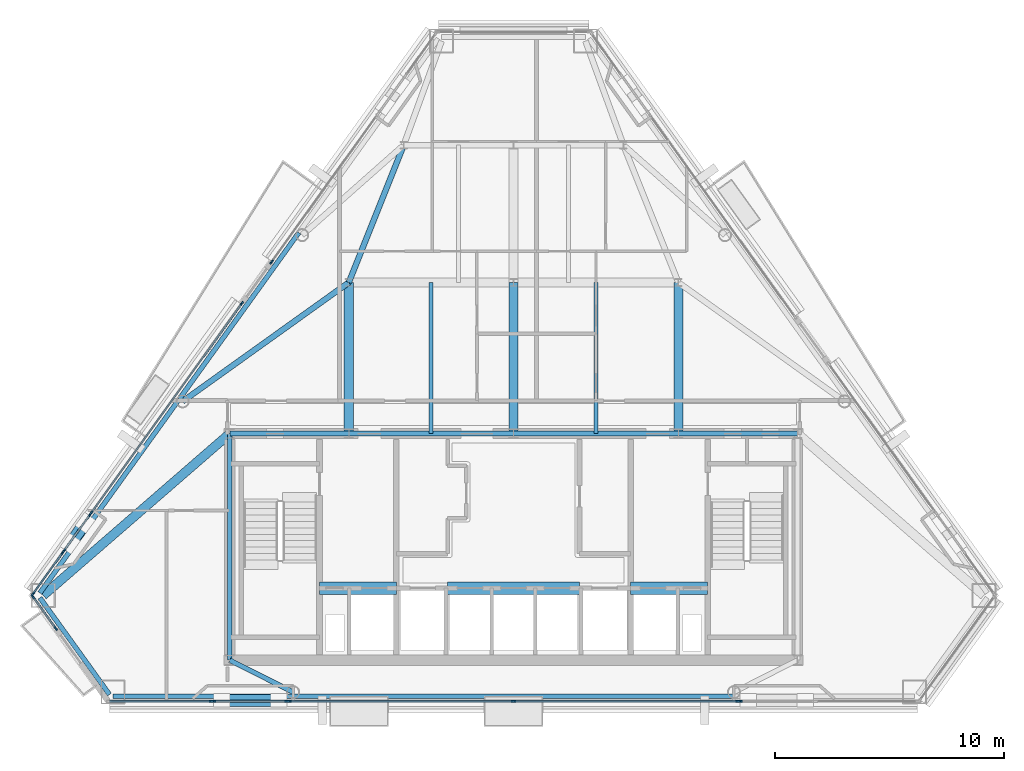
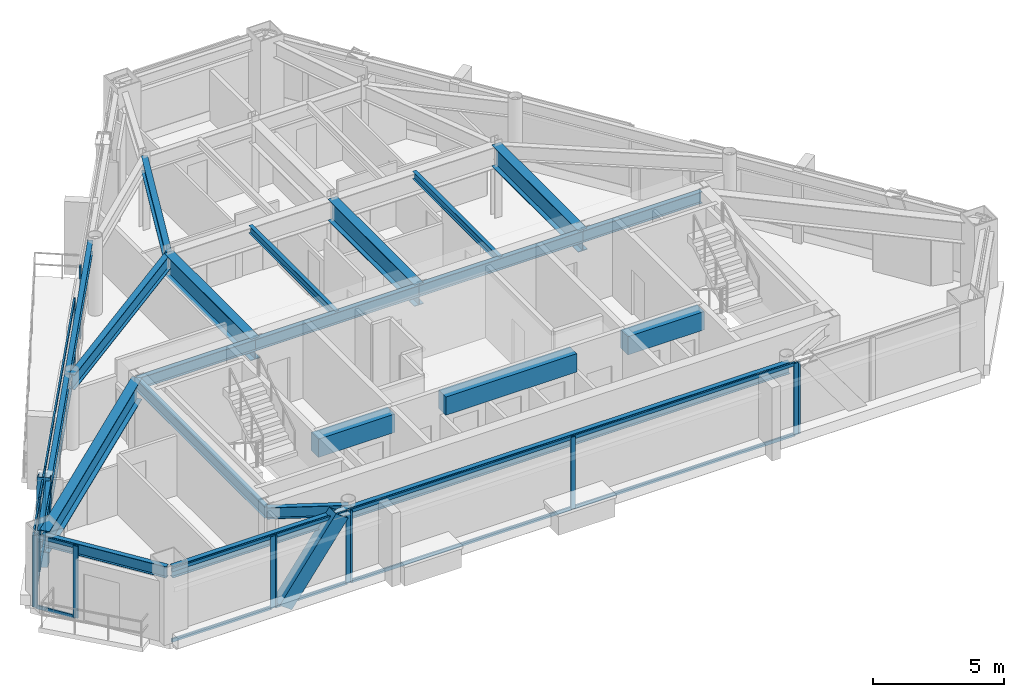
# One storey, part 3 of 11: 34 members, 22 beams, 9 elements without a shape of their own.
"""IFC4 building model written with IfcOpenShell, lengths in metres."""

from ifc_helpers import new_model, si_unit, direction, frame, origin, origin_2d, place, context, subcontext, project, spatial, rectangle, hollow_rectangle, i_section, extrude, material, layer, layer_set, material_profile, profile_set, type_object, element, aggregate, save


model = new_model("IFC4")

# Units and contexts
model_context = context("Model", 3, precision=1e-05, world=origin(), true_north=direction((0.0, 1.0)))
body_context = subcontext(model_context, "Body", "Model", "MODEL_VIEW")
ifc_project = project(units=[si_unit("LENGTHUNIT", "METRE"), si_unit("AREAUNIT", "SQUARE_METRE"), si_unit("VOLUMEUNIT", "CUBIC_METRE"), si_unit("PLANEANGLEUNIT", "RADIAN"), si_unit("MASSUNIT", "GRAM", prefix="KILO")], contexts=[model_context])

# Site, building, storey
site_placement = place(None, origin())
site = spatial("IfcSite", under=ifc_project, at=site_placement, CompositionType="ELEMENT")
building_placement = place(site_placement, origin())
building = spatial("IfcBuilding", under=site, at=building_placement, Name="Talgorran Terracotta Tower", CompositionType="ELEMENT")
storey_placement = place(building_placement, frame((0.0, 0.0, 210.89990234375)))
storey = spatial("IfcBuildingStorey", under=building, at=storey_placement, Name="L55", CompositionType="ELEMENT", Elevation=210.89990234375)

# Beams
ifc_material_1 = material(Name="Steel Grade 350 (350L0)", Category="steel")
ifc_material_profile_1 = material_profile(ifc_material_1, i_section(OverallWidth=0.39990234375, OverallDepth=1.0, WebThickness=0.01611328125, FlangeThickness=0.031005859375, at=origin_2d()), Name="1000WB296")
ifc_profile_set_1 = profile_set([ifc_material_profile_1], Name="Steel Grade 350 (350L0)")
beam_type_1 = type_object("IfcBeamType", Name="BM_1000WB296", PredefinedType="BEAM", material=ifc_profile_set_1)
for number, where, z_axis, x_axis, name in (
    (1, (-7.199951171875, -4.199951171875, 2.84521484375), (0.0, 1.0, 0.0), (-1.0, 0.0, 0.0), "L55 Floor Girder G01"),
    (2, (0.0, -4.199951171875, 2.84521484375), (0.0, 1.0, 0.0), (-1.0, 0.0, 0.0), "L55 Floor Girder G02"),
    (3, (7.199951171875, -4.199951171875, 2.84521484375), (0.0, 1.0, 0.0), (-1.0, 0.0, 0.0), "L55 Floor Girder G03"),
):
    element("IfcBeam", number, at=place(storey_placement, frame(where, z_axis=z_axis, x_axis=x_axis)), inside=storey, type_object=beam_type_1, Name=name, PredefinedType="BEAM", context=body_context, shape_type="SweptSolid", body=[
        extrude(i_section(OverallWidth=0.39990234375, OverallDepth=1.0, WebThickness=0.01611328125, FlangeThickness=0.031005859375, at=origin_2d()), origin(), (0.0, 0.0, 1.0), 6.599853515625),
    ])
beam_1_placement = place(storey_placement, frame((-12.39990234375, -4.199951171875, 2.84521484375), z_axis=(-0.755340259283, -0.655332810644, 0.0), x_axis=(0.655332810644, -0.755340259283, 0.0)))
element("IfcBeam", 4, at=beam_1_placement, inside=storey, type_object=beam_type_1, Name="L55 Floor Girder G17", PredefinedType="BEAM", context=body_context, shape_type="SweptSolid", body=[
    extrude(i_section(OverallWidth=0.39990234375, OverallDepth=1.0, WebThickness=0.01611328125, FlangeThickness=0.031005859375, at=origin_2d()), origin(), (0.0, 0.0, 1.0), 10.787841796875),
])
ifc_material_2 = material(Name="Steel S355 (300PLUS)", Category="steel")
ifc_material_profile_2 = material_profile(ifc_material_2, i_section(OverallWidth=0.25, OverallDepth=0.699951171875, WebThickness=0.011962890625, FlangeThickness=0.02392578125, at=origin_2d()), Name="700WB150")
ifc_profile_set_2 = profile_set([ifc_material_profile_2], Name="Steel S355 (300PLUS)")
beam_type_2 = type_object("IfcBeamType", Name="BM_700WB150", PredefinedType="BEAM", material=ifc_profile_set_2)
beam_2_placement = place(storey_placement, frame((-7.199951171875, 2.39990234375, 2.9951171875), z_axis=(-0.813243309998, -0.581923808366, 0.0), x_axis=(0.581923808366, -0.813243309998, 0.0)))
element("IfcBeam", 5, at=beam_2_placement, inside=storey, type_object=beam_type_2, Name="L55 Floor Girder G06", PredefinedType="BEAM", context=body_context, shape_type="SweptSolid", body=[
    extrude(i_section(OverallWidth=0.25, OverallDepth=0.699951171875, WebThickness=0.011962890625, FlangeThickness=0.02392578125, at=origin_2d()), origin(), (0.0, 0.0, 1.0), 8.923583984375),
])
beam_3_placement = place(storey_placement, frame((-7.199951171875, 2.39990234375, 2.9951171875), z_axis=(0.371377648723, 0.928481901832, 0.0), x_axis=(-0.928481901832, 0.371377648723, 0.0)))
element("IfcBeam", 6, at=beam_3_placement, inside=storey, type_object=beam_type_2, Name="L55 Floor Girder G08", PredefinedType="BEAM", context=body_context, shape_type="SweptSolid", body=[
    extrude(i_section(OverallWidth=0.25, OverallDepth=0.699951171875, WebThickness=0.011962890625, FlangeThickness=0.02392578125, at=origin_2d()), origin(), (0.0, 0.0, 1.0), 6.462158203125),
])
ifc_material_3 = material(Name="Concrete C50/60", Category="concrete")
ifc_material_profile_3 = material_profile(ifc_material_3, rectangle(XDim=0.550048828125, YDim=0.85009765625, at=origin_2d()), Name="RCCB550X850")
ifc_profile_set_3 = profile_set([ifc_material_profile_3], Name="Concrete C50/60")
beam_type_3 = type_object("IfcBeamType", Name="BM_CB_550X850", PredefinedType="LINTEL", material=ifc_profile_set_3)
beam_4_placement = place(storey_placement, frame((-8.47998046875, -10.949951171875, 2.920166015625), z_axis=(1.0, 0.0, 0.0), x_axis=(0.0, 1.0, 0.0)))
element("IfcBeam", 7, at=beam_4_placement, inside=storey, type_object=beam_type_3, Name="L55 Core Shear-Wall Coupling Beam CB1", PredefinedType="LINTEL", context=body_context, shape_type="SweptSolid", body=[
    extrude(rectangle(XDim=0.550048828125, YDim=0.85009765625, at=origin_2d()), origin(), (0.0, 0.0, 1.0), 3.35986328125),
])
beam_5_placement = place(storey_placement, frame((-2.8798828125, -10.949951171875, 2.920166015625), z_axis=(1.0, 0.0, 0.0), x_axis=(0.0, 1.0, 0.0)))
element("IfcBeam", 8, at=beam_5_placement, inside=storey, type_object=beam_type_3, Name="L55 Core Shear-Wall Coupling Beam CB2", PredefinedType="LINTEL", context=body_context, shape_type="SweptSolid", body=[
    extrude(rectangle(XDim=0.550048828125, YDim=0.85009765625, at=origin_2d()), origin(), (0.0, 0.0, 1.0), 5.759765625),
])
beam_6_placement = place(storey_placement, frame((5.1201171875, -10.949951171875, 2.920166015625), z_axis=(1.0, 0.0, 0.0), x_axis=(0.0, 1.0, 0.0)))
element("IfcBeam", 9, at=beam_6_placement, inside=storey, type_object=beam_type_3, Name="L55 Core Shear-Wall Coupling Beam CB3", PredefinedType="LINTEL", context=body_context, shape_type="SweptSolid", body=[
    extrude(rectangle(XDim=0.550048828125, YDim=0.85009765625, at=origin_2d()), origin(), (0.0, 0.0, 1.0), 3.35986328125),
])
ifc_material_profile_4 = material_profile(ifc_material_2, i_section(OverallWidth=0.17138671875, OverallDepth=0.355712890625, WebThickness=0.00732421875, FlangeThickness=0.011474609375, at=origin_2d()), Name="360UB50.7")
ifc_profile_set_4 = profile_set([ifc_material_profile_4], Name="Steel S355 (300PLUS)")
beam_type_4 = type_object("IfcBeamType", Name="BM_JS_360UB51", PredefinedType="JOIST", material=ifc_profile_set_4)
for number, where, z_axis, x_axis, name in (
    (10, (-3.60009765625, -4.199951171875, 3.167236328125), (0.0, 1.0, 0.0), (-1.0, 0.0, 0.0), "L55 Secondary Joist J01"),
    (11, (3.60009765625, -4.199951171875, 3.167236328125), (0.0, 1.0, 0.0), (-1.0, 0.0, 0.0), "L55 Secondary Joist J02"),
):
    element("IfcBeam", number, at=place(storey_placement, frame(where, z_axis=z_axis, x_axis=x_axis)), inside=storey, type_object=beam_type_4, Name=name, PredefinedType="JOIST", context=body_context, shape_type="SweptSolid", body=[
        extrude(i_section(OverallWidth=0.17138671875, OverallDepth=0.355712890625, WebThickness=0.00732421875, FlangeThickness=0.011474609375, at=origin_2d()), origin(), (0.0, 0.0, 1.0), 6.599853515625),
    ])
ifc_material_profile_5 = material_profile(ifc_material_2, i_section(OverallWidth=0.209228515625, OverallDepth=0.532958984375, WebThickness=0.01025390625, FlangeThickness=0.015625, at=origin_2d()), Name="530UB92.4")
ifc_profile_set_5 = profile_set([ifc_material_profile_5], Name="Steel S355 (300PLUS)")
beam_type_5 = type_object("IfcBeamType", Name="BM_SP_530UB92", PredefinedType="SPANDREL", material=ifc_profile_set_5)
beam_7_placement = place(storey_placement, frame((-20.694580078125, -11.37451171875, 3.07861328125), z_axis=(0.58353843734, -0.812085520217, 0.0), x_axis=(0.812085520217, 0.58353843734, 0.0)))
element("IfcBeam", 12, at=beam_7_placement, inside=storey, type_object=beam_type_5, Name="L55 Perimeter Spandrel Beam MC1-MC2", PredefinedType="SPANDREL", context=body_context, shape_type="SweptSolid", body=[
    extrude(i_section(OverallWidth=0.209228515625, OverallDepth=0.532958984375, WebThickness=0.01025390625, FlangeThickness=0.015625, at=origin_2d()), origin(), (0.0, 0.0, 1.0), 5.20556640625),
])
beam_8_placement = place(storey_placement, frame((-17.5107421875, -15.6767578125, 3.07861328125), z_axis=(1.0, 0.0, 0.0), x_axis=(0.0, 1.0, 0.0)))
element("IfcBeam", 13, at=beam_8_placement, inside=storey, type_object=beam_type_5, Name="L55 Perimeter Spandrel Beam MC2-FC1", PredefinedType="SPANDREL", context=body_context, shape_type="SweptSolid", body=[
    extrude(i_section(OverallWidth=0.209228515625, OverallDepth=0.532958984375, WebThickness=0.01025390625, FlangeThickness=0.015625, at=origin_2d()), origin(), (0.0, 0.0, 1.0), 7.8798828125),
])
beam_9_placement = place(storey_placement, frame((-9.630859375, -15.6767578125, 3.07861328125), z_axis=(1.0, 0.0, 0.0), x_axis=(0.0, 1.0, 0.0)))
element("IfcBeam", 14, at=beam_9_placement, inside=storey, type_object=beam_type_5, Name="L55 Perimeter Spandrel Beam FC1-FC2", PredefinedType="SPANDREL", context=body_context, shape_type="SweptSolid", body=[
    extrude(i_section(OverallWidth=0.209228515625, OverallDepth=0.532958984375, WebThickness=0.01025390625, FlangeThickness=0.015625, at=origin_2d()), origin(), (0.0, 0.0, 1.0), 19.26171875),
])
beam_10_placement = place(storey_placement, frame((-9.382080078125, 4.577880859375, 3.07861328125), z_axis=(-0.583551145521, -0.812076388378, 0.0), x_axis=(0.812076388378, -0.583551145521, 0.0)))
element("IfcBeam", 15, at=beam_10_placement, inside=storey, type_object=beam_type_5, Name="L55 Perimeter Spandrel Beam FC5-FC6", PredefinedType="SPANDREL", context=body_context, shape_type="SweptSolid", body=[
    extrude(i_section(OverallWidth=0.209228515625, OverallDepth=0.532958984375, WebThickness=0.01025390625, FlangeThickness=0.015625, at=origin_2d()), origin(), (0.0, 0.0, 1.0), 8.947265625),
])
beam_11_placement = place(storey_placement, frame((-14.603271484375, -2.68798828125, 3.07861328125), z_axis=(-0.58355893517, -0.812070790746, 0.0), x_axis=(0.812070790746, -0.58355893517, 0.0)))
element("IfcBeam", 16, at=beam_11_placement, inside=storey, type_object=beam_type_5, Name="L55 Perimeter Spandrel Beam FC6-MC1", PredefinedType="SPANDREL", context=body_context, shape_type="SweptSolid", body=[
    extrude(i_section(OverallWidth=0.209228515625, OverallDepth=0.532958984375, WebThickness=0.01025390625, FlangeThickness=0.015625, at=origin_2d()), origin(), (0.0, 0.0, 1.0), 10.438232421875),
])
beam_12_placement = place(storey_placement, frame((-9.630859375, -15.49658203125, 3.07861328125), z_axis=(-0.892878892076, 0.450296884383, 0.0), x_axis=(-0.450296884383, -0.892878892076, 0.0)))
element("IfcBeam", 17, at=beam_12_placement, inside=storey, type_object=beam_type_5, Name="L55 South-West Core Tie Beam", PredefinedType="SPANDREL", context=body_context, shape_type="SweptSolid", body=[
    extrude(i_section(OverallWidth=0.209228515625, OverallDepth=0.532958984375, WebThickness=0.01025390625, FlangeThickness=0.015625, at=origin_2d()), origin(), (0.0, 0.0, 1.0), 3.101318359375),
])
beam_13_placement = place(storey_placement, frame((-12.39990234375, -14.10009765625, 3.07861328125), z_axis=(0.0, 1.0, 0.0), x_axis=(-1.0, 0.0, 0.0)))
element("IfcBeam", 18, at=beam_13_placement, inside=storey, type_object=beam_type_5, Name="L55 Core Frame Beam CFW", PredefinedType="SPANDREL", context=body_context, shape_type="SweptSolid", body=[
    extrude(i_section(OverallWidth=0.209228515625, OverallDepth=0.532958984375, WebThickness=0.01025390625, FlangeThickness=0.015625, at=origin_2d()), origin(), (0.0, 0.0, 1.0), 9.900146484375),
])
beam_14_placement = place(storey_placement, frame((-12.39990234375, -4.199951171875, 3.07861328125), z_axis=(1.0, 0.0, 0.0), x_axis=(0.0, 1.0, 0.0)))
element("IfcBeam", 19, at=beam_14_placement, inside=storey, type_object=beam_type_5, Name="L55 Core Frame Beam CFN1", PredefinedType="SPANDREL", context=body_context, shape_type="SweptSolid", body=[
    extrude(i_section(OverallWidth=0.209228515625, OverallDepth=0.532958984375, WebThickness=0.01025390625, FlangeThickness=0.015625, at=origin_2d()), origin(), (0.0, 0.0, 1.0), 5.199951171875),
])
for number, where, z_axis, x_axis, name in (
    (20, (-7.199951171875, -4.199951171875, 3.07861328125), (1.0, 0.0, 0.0), (0.0, 1.0, 0.0), "L55 Core Frame Beam CFN2"),
    (21, (0.0, -4.199951171875, 3.07861328125), (1.0, 0.0, 0.0), (0.0, 1.0, 0.0), "L55 Core Frame Beam CFN3"),
):
    element("IfcBeam", number, at=place(storey_placement, frame(where, z_axis=z_axis, x_axis=x_axis)), inside=storey, type_object=beam_type_5, Name=name, PredefinedType="SPANDREL", context=body_context, shape_type="SweptSolid", body=[
        extrude(i_section(OverallWidth=0.209228515625, OverallDepth=0.532958984375, WebThickness=0.01025390625, FlangeThickness=0.015625, at=origin_2d()), origin(), (0.0, 0.0, 1.0), 7.199951171875),
    ])
beam_15_placement = place(storey_placement, frame((7.199951171875, -4.199951171875, 3.07861328125), z_axis=(1.0, 0.0, 0.0), x_axis=(0.0, 1.0, 0.0)))
element("IfcBeam", 22, at=beam_15_placement, inside=storey, type_object=beam_type_5, Name="L55 Core Frame Beam CFN4", PredefinedType="SPANDREL", context=body_context, shape_type="SweptSolid", body=[
    extrude(i_section(OverallWidth=0.209228515625, OverallDepth=0.532958984375, WebThickness=0.01025390625, FlangeThickness=0.015625, at=origin_2d()), origin(), (0.0, 0.0, 1.0), 5.199951171875),
])

# Members
ifc_material_profile_6 = material_profile(ifc_material_1, hollow_rectangle(XDim=0.52001953125, YDim=0.659912109375, WallThickness=0.034912109375, at=origin_2d()), Name="WBOX660X520X35")
ifc_profile_set_6 = profile_set([ifc_material_profile_6], Name="Steel Grade 350 (350L0)")
member_type_1 = type_object("IfcMemberType", Name="MB_MEGA_660", PredefinedType="BRACE", material=ifc_profile_set_6)
member_1_placement = place(storey_placement, frame((-12.740478515625, -15.856689453125, -0.02490234375), z_axis=(0.589445506836, 0.0, 0.807808142117), x_axis=(0.0, 1.0, 0.0)))
element("IfcMember", 23, at=member_1_placement, inside=storey, type_object=member_type_1, Name="L55 Exterior Face Mega-Brace MB-3 (SWF)", PredefinedType="BRACE", context=body_context, shape_type="SweptSolid", body=[
    extrude(hollow_rectangle(XDim=0.52001953125, YDim=0.659912109375, WallThickness=0.034912109375, at=origin_2d()), origin(), (0.0, 0.0, 1.0), 4.20263671875),
])
member_2_placement = place(storey_placement, frame((-19.36669921875, -9.00830078125, -0.02490234375), z_axis=(0.182817156925, 0.254386966584, 0.949665814045), x_axis=(-0.812050884366, 0.583586635557, 0.0)))
element("IfcMember", 24, at=member_2_placement, inside=storey, type_object=member_type_1, Name="L55 Exterior Face Mega-Brace MB-3 (NWL)", PredefinedType="BRACE", context=body_context, shape_type="SweptSolid", body=[
    extrude(hollow_rectangle(XDim=0.52001953125, YDim=0.659912109375, WallThickness=0.034912109375, at=origin_2d()), origin(), (0.0, 0.0, 1.0), 3.574951171875),
])

# Curtain wall, members
ifc_material_4 = material(Name="High-Wind Unitised Glazing", Category="glass")
ifc_layer = layer(ifc_material_4, 0.2099609375, Name="CW_SYS3_RES_HIGH")
ifc_layer_set = layer_set([ifc_layer], Name="High-Wind Unitised Glazing")
curtain_wall_type = type_object("IfcCurtainWallType", Name="CW_SYS3_RES_HIGH", PredefinedType="NOTDEFINED", material=ifc_layer_set)
curtain_wall_1_placement = place(storey_placement, origin())
curtain_wall_1 = element("IfcCurtainWall", 25, at=curtain_wall_1_placement, inside=storey, type_object=curtain_wall_type, Name="CW-L55-F10", PredefinedType="NOTDEFINED")
ifc_material_5 = material(Name="Architectural Aluminium 6063-T6", Category="aluminium")
ifc_material_profile_7 = material_profile(ifc_material_5, rectangle(XDim=0.070068359375, YDim=0.199951171875, at=origin_2d()), Name="CWM70X200")
ifc_profile_set_7 = profile_set([ifc_material_profile_7], Name="Architectural Aluminium 6063-T6")
member_type_2 = type_object("IfcMemberType", Name="MUL_70X200", PredefinedType="MULLION", material=ifc_profile_set_7)
member_3_placement = place(storey_placement, frame((-20.9970703125, -11.33056640625, 0.0), z_axis=(0.0, 0.0, 1.0), x_axis=(0.812077950336, 0.583548971876, 0.0)))
member_3 = element("IfcMember", 26, at=member_3_placement, type_object=member_type_2, Name="CW-L55-10 mullion 1", PredefinedType="MULLION", context=body_context, shape_type="SweptSolid", body=[
    extrude(rectangle(XDim=0.070068359375, YDim=0.199951171875, at=origin_2d()), origin(), (0.0, 0.0, 1.0), 3.34521484375),
])
member_4_placement = place(storey_placement, frame((-20.00244140625, -12.715087890625, 0.0), z_axis=(0.0, 0.0, 1.0), x_axis=(0.812077950336, 0.583548971876, 0.0)))
member_4 = element("IfcMember", 27, at=member_4_placement, type_object=member_type_2, Name="CW-L55-10 mullion 2", PredefinedType="MULLION", context=body_context, shape_type="SweptSolid", body=[
    extrude(rectangle(XDim=0.070068359375, YDim=0.199951171875, at=origin_2d()), origin(), (0.0, 0.0, 1.0), 3.34521484375),
])

# Curtain wall, member
curtain_wall_2_placement = place(storey_placement, origin())
curtain_wall_2 = element("IfcCurtainWall", 28, at=curtain_wall_2_placement, inside=storey, type_object=curtain_wall_type, Name="CW-L55-F1", PredefinedType="NOTDEFINED")
member_5_placement = place(storey_placement, frame((-13.197265625, -15.896728515625, 0.0), z_axis=(0.0, 0.0, 1.0), x_axis=(0.0, 1.0, 0.0)))
member_5 = element("IfcMember", 29, at=member_5_placement, type_object=member_type_2, Name="CW-L55-1 mullion 2", PredefinedType="MULLION", context=body_context, shape_type="SweptSolid", body=[
    extrude(rectangle(XDim=0.070068359375, YDim=0.199951171875, at=origin_2d()), origin(), (0.0, 0.0, 1.0), 3.34521484375),
])

# Curtain wall, members
curtain_wall_3_placement = place(storey_placement, origin())
curtain_wall_3 = element("IfcCurtainWall", 30, at=curtain_wall_3_placement, inside=storey, type_object=curtain_wall_type, Name="CW-L55-F1B", PredefinedType="NOTDEFINED")
member_6_placement = place(storey_placement, frame((-13.1171875, -15.896728515625, 0.0), z_axis=(0.0, 0.0, 1.0), x_axis=(0.0, 1.0, 0.0)))
member_6 = element("IfcMember", 31, at=member_6_placement, type_object=member_type_2, Name="CW-L55-1B mullion 1", PredefinedType="MULLION", context=body_context, shape_type="SweptSolid", body=[
    extrude(rectangle(XDim=0.070068359375, YDim=0.199951171875, at=origin_2d()), origin(), (0.0, 0.0, 1.0), 3.34521484375),
])
member_7_placement = place(storey_placement, frame((-9.88671875, -15.896728515625, 0.0), z_axis=(0.0, 0.0, 1.0), x_axis=(0.0, 1.0, 0.0)))
member_7 = element("IfcMember", 32, at=member_7_placement, type_object=member_type_2, Name="CW-L55-1B mullion 2", PredefinedType="MULLION", context=body_context, shape_type="SweptSolid", body=[
    extrude(rectangle(XDim=0.070068359375, YDim=0.199951171875, at=origin_2d()), origin(), (0.0, 0.0, 1.0), 3.34521484375),
])

curtain_wall_4_placement = place(storey_placement, origin())
curtain_wall_4 = element("IfcCurtainWall", 33, at=curtain_wall_4_placement, inside=storey, type_object=curtain_wall_type, Name="CW-L55-F1C", PredefinedType="NOTDEFINED")
member_8_placement = place(storey_placement, frame((-9.806640625, -15.896728515625, 0.0), z_axis=(0.0, 0.0, 1.0), x_axis=(0.0, 1.0, 0.0)))
member_8 = element("IfcMember", 34, at=member_8_placement, type_object=member_type_2, Name="CW-L55-1C mullion 1", PredefinedType="MULLION", context=body_context, shape_type="SweptSolid", body=[
    extrude(rectangle(XDim=0.070068359375, YDim=0.199951171875, at=origin_2d()), origin(), (0.0, 0.0, 1.0), 3.34521484375),
])
member_9_placement = place(storey_placement, frame((0.0, -15.896728515625, 0.0), z_axis=(0.0, 0.0, 1.0), x_axis=(0.0, 1.0, 0.0)))
member_9 = element("IfcMember", 35, at=member_9_placement, type_object=member_type_2, Name="CW-L55-1C mullion 2", PredefinedType="MULLION", context=body_context, shape_type="SweptSolid", body=[
    extrude(rectangle(XDim=0.070068359375, YDim=0.199951171875, at=origin_2d()), origin(), (0.0, 0.0, 1.0), 3.34521484375),
])
member_10_placement = place(storey_placement, frame((9.806640625, -15.896728515625, 0.0), z_axis=(0.0, 0.0, 1.0), x_axis=(0.0, 1.0, 0.0)))
member_10 = element("IfcMember", 36, at=member_10_placement, type_object=member_type_2, Name="CW-L55-1C mullion 3", PredefinedType="MULLION", context=body_context, shape_type="SweptSolid", body=[
    extrude(rectangle(XDim=0.070068359375, YDim=0.199951171875, at=origin_2d()), origin(), (0.0, 0.0, 1.0), 3.34521484375),
])

# Curtain wall, member
curtain_wall_5_placement = place(storey_placement, origin())
curtain_wall_5 = element("IfcCurtainWall", 37, at=curtain_wall_5_placement, inside=storey, type_object=curtain_wall_type, Name="CW-L55-F1D", PredefinedType="NOTDEFINED")
member_11_placement = place(storey_placement, frame((9.88671875, -15.896728515625, 0.0), z_axis=(0.0, 0.0, 1.0), x_axis=(0.0, 1.0, 0.0)))
member_11 = element("IfcMember", 38, at=member_11_placement, type_object=member_type_2, Name="CW-L55-1D mullion 1", PredefinedType="MULLION", context=body_context, shape_type="SweptSolid", body=[
    extrude(rectangle(XDim=0.070068359375, YDim=0.199951171875, at=origin_2d()), origin(), (0.0, 0.0, 1.0), 3.34521484375),
])
aggregate(curtain_wall_5, [member_11])

curtain_wall_6_placement = place(storey_placement, origin())
curtain_wall_6 = element("IfcCurtainWall", 39, at=curtain_wall_6_placement, inside=storey, type_object=curtain_wall_type, Name="CW-L55-F60C", PredefinedType="NOTDEFINED")
member_12_placement = place(storey_placement, frame((-10.57470703125, 3.29541015625, 0.0), z_axis=(0.0, 0.0, 1.0), x_axis=(0.812071855758, -0.583557453114, 0.0)))
member_12 = element("IfcMember", 40, at=member_12_placement, type_object=member_type_2, Name="CW-L55-60C mullion 2", PredefinedType="MULLION", context=body_context, shape_type="SweptSolid", body=[
    extrude(rectangle(XDim=0.070068359375, YDim=0.199951171875, at=origin_2d()), origin(), (0.0, 0.0, 1.0), 3.34521484375),
])
aggregate(curtain_wall_6, [member_12])

# Curtain wall, members
curtain_wall_7_placement = place(storey_placement, origin())
curtain_wall_7 = element("IfcCurtainWall", 41, at=curtain_wall_7_placement, inside=storey, type_object=curtain_wall_type, Name="CW-L55-F61", PredefinedType="NOTDEFINED")
member_13_placement = place(storey_placement, frame((-11.8759765625, 1.484375, 0.0), z_axis=(0.0, 0.0, 1.0), x_axis=(0.812075971578, -0.583551725545, 0.0)))
member_13 = element("IfcMember", 42, at=member_13_placement, type_object=member_type_2, Name="CW-L55-61 mullion 1", PredefinedType="MULLION", context=body_context, shape_type="SweptSolid", body=[
    extrude(rectangle(XDim=0.070068359375, YDim=0.199951171875, at=origin_2d()), origin(), (0.0, 0.0, 1.0), 3.34521484375),
])
member_14_placement = place(storey_placement, frame((-18.451904296875, -7.666748046875, 0.0), z_axis=(0.0, 0.0, 1.0), x_axis=(0.812075971578, -0.583551725545, 0.0)))
member_14 = element("IfcMember", 43, at=member_14_placement, type_object=member_type_2, Name="CW-L55-61 mullion 2", PredefinedType="MULLION", context=body_context, shape_type="SweptSolid", body=[
    extrude(rectangle(XDim=0.070068359375, YDim=0.199951171875, at=origin_2d()), origin(), (0.0, 0.0, 1.0), 3.34521484375),
])

curtain_wall_8_placement = place(storey_placement, origin())
curtain_wall_8 = element("IfcCurtainWall", 44, at=curtain_wall_8_placement, inside=storey, type_object=curtain_wall_type, Name="CW-L55-F61B", PredefinedType="NOTDEFINED")
member_15_placement = place(storey_placement, frame((-18.49853515625, -7.731689453125, 0.0), z_axis=(0.0, 0.0, 1.0), x_axis=(0.81207136039, -0.583558142462, 0.0)))
member_15 = element("IfcMember", 45, at=member_15_placement, type_object=member_type_2, Name="CW-L55-61B mullion 1", PredefinedType="MULLION", context=body_context, shape_type="SweptSolid", body=[
    extrude(rectangle(XDim=0.070068359375, YDim=0.199951171875, at=origin_2d()), origin(), (0.0, 0.0, 1.0), 3.34521484375),
])
member_16_placement = place(storey_placement, frame((-19.646240234375, -9.328857421875, 0.0), z_axis=(0.0, 0.0, 1.0), x_axis=(0.81207136039, -0.583558142462, 0.0)))
member_16 = element("IfcMember", 46, at=member_16_placement, type_object=member_type_2, Name="CW-L55-61B mullion 2", PredefinedType="MULLION", context=body_context, shape_type="SweptSolid", body=[
    extrude(rectangle(XDim=0.070068359375, YDim=0.199951171875, at=origin_2d()), origin(), (0.0, 0.0, 1.0), 3.34521484375),
])

curtain_wall_9_placement = place(storey_placement, origin())
curtain_wall_9 = element("IfcCurtainWall", 47, at=curtain_wall_9_placement, inside=storey, type_object=curtain_wall_type, Name="CW-L55-F61C", PredefinedType="NOTDEFINED")
member_17_placement = place(storey_placement, frame((-19.69287109375, -9.393798828125, 0.0), z_axis=(0.0, 0.0, 1.0), x_axis=(0.812068055005, -0.583562742162, 0.0)))
member_17 = element("IfcMember", 48, at=member_17_placement, type_object=member_type_2, Name="CW-L55-61C mullion 1", PredefinedType="MULLION", context=body_context, shape_type="SweptSolid", body=[
    extrude(rectangle(XDim=0.070068359375, YDim=0.199951171875, at=origin_2d()), origin(), (0.0, 0.0, 1.0), 3.34521484375),
])
member_18_placement = place(storey_placement, frame((-20.9970703125, -11.208740234375, 0.0), z_axis=(0.0, 0.0, 1.0), x_axis=(0.812068055005, -0.583562742162, 0.0)))
member_18 = element("IfcMember", 49, at=member_18_placement, type_object=member_type_2, Name="CW-L55-61C mullion 2", PredefinedType="MULLION", context=body_context, shape_type="SweptSolid", body=[
    extrude(rectangle(XDim=0.070068359375, YDim=0.199951171875, at=origin_2d()), origin(), (0.0, 0.0, 1.0), 3.34521484375),
])

# Member
ifc_material_profile_8 = material_profile(ifc_material_5, rectangle(XDim=0.070068359375, YDim=0.159912109375, at=origin_2d()), Name="CWT70X160")
ifc_profile_set_8 = profile_set([ifc_material_profile_8], Name="Architectural Aluminium 6063-T6")
member_type_3 = type_object("IfcMemberType", Name="TRN_70X160", PredefinedType="USERDEFINED", material=ifc_profile_set_8)
member_19_placement = place(storey_placement, frame((-20.976806640625, -11.35888671875, 0.03515625), z_axis=(0.583580661131, -0.8120551779, 0.0), x_axis=(0.8120551779, 0.583580661131, 0.0)))
member_19 = element("IfcMember", 50, at=member_19_placement, type_object=member_type_3, Name="CW-L55-10 transom 1.1", ObjectType="TRANSOM", PredefinedType="USERDEFINED", context=body_context, shape_type="SweptSolid", body=[
    extrude(rectangle(XDim=0.070068359375, YDim=0.159912109375, at=origin_2d()), origin(), (0.0, 0.0, 1.0), 1.635009765625),
])

member_20_placement = place(storey_placement, frame((-20.976806640625, -11.35888671875, 3.31005859375), z_axis=(0.583580661131, -0.8120551779, 0.0), x_axis=(0.8120551779, 0.583580661131, 0.0)))
member_20 = element("IfcMember", 51, at=member_20_placement, type_object=member_type_3, Name="CW-L55-10 transom 1.2", ObjectType="TRANSOM", PredefinedType="USERDEFINED", context=body_context, shape_type="SweptSolid", body=[
    extrude(rectangle(XDim=0.070068359375, YDim=0.159912109375, at=origin_2d()), origin(), (0.0, 0.0, 1.0), 1.635009765625),
])

aggregate(curtain_wall_1, [member_3, member_4, member_19, member_20])

member_21_placement = place(storey_placement, frame((-17.64599609375, -15.896728515625, 0.03515625), z_axis=(1.0, 0.0, 0.0), x_axis=(0.0, 1.0, 0.0)))
member_21 = element("IfcMember", 52, at=member_21_placement, type_object=member_type_3, Name="CW-L55-1 transom 1.1", ObjectType="TRANSOM", PredefinedType="USERDEFINED", context=body_context, shape_type="SweptSolid", body=[
    extrude(rectangle(XDim=0.070068359375, YDim=0.159912109375, at=origin_2d()), origin(), (0.0, 0.0, 1.0), 4.413818359375),
])

member_22_placement = place(storey_placement, frame((-17.64599609375, -15.896728515625, 3.31005859375), z_axis=(1.0, 0.0, 0.0), x_axis=(0.0, 1.0, 0.0)))
member_22 = element("IfcMember", 53, at=member_22_placement, type_object=member_type_3, Name="CW-L55-1 transom 1.2", ObjectType="TRANSOM", PredefinedType="USERDEFINED", context=body_context, shape_type="SweptSolid", body=[
    extrude(rectangle(XDim=0.070068359375, YDim=0.159912109375, at=origin_2d()), origin(), (0.0, 0.0, 1.0), 4.413818359375),
])

aggregate(curtain_wall_2, [member_5, member_21, member_22])

member_23_placement = place(storey_placement, frame((-13.082275390625, -15.896728515625, 0.03515625), z_axis=(1.0, 0.0, 0.0), x_axis=(0.0, 1.0, 0.0)))
member_23 = element("IfcMember", 54, at=member_23_placement, type_object=member_type_3, Name="CW-L55-1B transom 1.1", ObjectType="TRANSOM", PredefinedType="USERDEFINED", context=body_context, shape_type="SweptSolid", body=[
    extrude(rectangle(XDim=0.070068359375, YDim=0.159912109375, at=origin_2d()), origin(), (0.0, 0.0, 1.0), 3.16064453125),
])

member_24_placement = place(storey_placement, frame((-13.082275390625, -15.896728515625, 3.31005859375), z_axis=(1.0, 0.0, 0.0), x_axis=(0.0, 1.0, 0.0)))
member_24 = element("IfcMember", 55, at=member_24_placement, type_object=member_type_3, Name="CW-L55-1B transom 1.2", ObjectType="TRANSOM", PredefinedType="USERDEFINED", context=body_context, shape_type="SweptSolid", body=[
    extrude(rectangle(XDim=0.070068359375, YDim=0.159912109375, at=origin_2d()), origin(), (0.0, 0.0, 1.0), 3.16064453125),
])

aggregate(curtain_wall_3, [member_6, member_7, member_23, member_24])

member_25_placement = place(storey_placement, frame((-9.771728515625, -15.896728515625, 0.03515625), z_axis=(1.0, 0.0, 0.0), x_axis=(0.0, 1.0, 0.0)))
member_25 = element("IfcMember", 56, at=member_25_placement, type_object=member_type_3, Name="CW-L55-1C transom 1.1", ObjectType="TRANSOM", PredefinedType="USERDEFINED", context=body_context, shape_type="SweptSolid", body=[
    extrude(rectangle(XDim=0.070068359375, YDim=0.159912109375, at=origin_2d()), origin(), (0.0, 0.0, 1.0), 9.73681640625),
])

member_26_placement = place(storey_placement, frame((-9.771728515625, -15.896728515625, 3.31005859375), z_axis=(1.0, 0.0, 0.0), x_axis=(0.0, 1.0, 0.0)))
member_26 = element("IfcMember", 57, at=member_26_placement, type_object=member_type_3, Name="CW-L55-1C transom 1.2", ObjectType="TRANSOM", PredefinedType="USERDEFINED", context=body_context, shape_type="SweptSolid", body=[
    extrude(rectangle(XDim=0.070068359375, YDim=0.159912109375, at=origin_2d()), origin(), (0.0, 0.0, 1.0), 9.73681640625),
])

member_27_placement = place(storey_placement, frame((0.034912109375, -15.896728515625, 0.03515625), z_axis=(1.0, 0.0, 0.0), x_axis=(0.0, 1.0, 0.0)))
member_27 = element("IfcMember", 58, at=member_27_placement, type_object=member_type_3, Name="CW-L55-1C transom 2.1", ObjectType="TRANSOM", PredefinedType="USERDEFINED", context=body_context, shape_type="SweptSolid", body=[
    extrude(rectangle(XDim=0.070068359375, YDim=0.159912109375, at=origin_2d()), origin(), (0.0, 0.0, 1.0), 9.73681640625),
])

member_28_placement = place(storey_placement, frame((0.034912109375, -15.896728515625, 3.31005859375), z_axis=(1.0, 0.0, 0.0), x_axis=(0.0, 1.0, 0.0)))
member_28 = element("IfcMember", 59, at=member_28_placement, type_object=member_type_3, Name="CW-L55-1C transom 2.2", ObjectType="TRANSOM", PredefinedType="USERDEFINED", context=body_context, shape_type="SweptSolid", body=[
    extrude(rectangle(XDim=0.070068359375, YDim=0.159912109375, at=origin_2d()), origin(), (0.0, 0.0, 1.0), 9.73681640625),
])

aggregate(curtain_wall_4, [member_8, member_9, member_10, member_25, member_26, member_27, member_28])

member_29_placement = place(storey_placement, frame((-11.896484375, 1.4560546875, 0.03515625), z_axis=(-0.58354755247, -0.812078970302, 0.0), x_axis=(0.812078970302, -0.58354755247, 0.0)))
member_29 = element("IfcMember", 60, at=member_29_placement, type_object=member_type_3, Name="CW-L55-61 transom 1.1", ObjectType="TRANSOM", PredefinedType="USERDEFINED", context=body_context, shape_type="SweptSolid", body=[
    extrude(rectangle(XDim=0.070068359375, YDim=0.159912109375, at=origin_2d()), origin(), (0.0, 0.0, 1.0), 11.198974609375),
])

member_30_placement = place(storey_placement, frame((-11.896484375, 1.4560546875, 3.31005859375), z_axis=(-0.58354755247, -0.812078970302, 0.0), x_axis=(0.812078970302, -0.58354755247, 0.0)))
member_30 = element("IfcMember", 61, at=member_30_placement, type_object=member_type_3, Name="CW-L55-61 transom 1.2", ObjectType="TRANSOM", PredefinedType="USERDEFINED", context=body_context, shape_type="SweptSolid", body=[
    extrude(rectangle(XDim=0.070068359375, YDim=0.159912109375, at=origin_2d()), origin(), (0.0, 0.0, 1.0), 11.198974609375),
])

aggregate(curtain_wall_7, [member_13, member_14, member_29, member_30])

member_31_placement = place(storey_placement, frame((-18.51904296875, -7.76025390625, 0.03515625), z_axis=(-0.583561771565, -0.812068752488, 0.0), x_axis=(0.812068752488, -0.583561771565, 0.0)))
member_31 = element("IfcMember", 62, at=member_31_placement, type_object=member_type_3, Name="CW-L55-61B transom 1.1", ObjectType="TRANSOM", PredefinedType="USERDEFINED", context=body_context, shape_type="SweptSolid", body=[
    extrude(rectangle(XDim=0.070068359375, YDim=0.159912109375, at=origin_2d()), origin(), (0.0, 0.0, 1.0), 1.896484375),
])

member_32_placement = place(storey_placement, frame((-18.51904296875, -7.76025390625, 3.31005859375), z_axis=(-0.583561771565, -0.812068752488, 0.0), x_axis=(0.812068752488, -0.583561771565, 0.0)))
member_32 = element("IfcMember", 63, at=member_32_placement, type_object=member_type_3, Name="CW-L55-61B transom 1.2", ObjectType="TRANSOM", PredefinedType="USERDEFINED", context=body_context, shape_type="SweptSolid", body=[
    extrude(rectangle(XDim=0.070068359375, YDim=0.159912109375, at=origin_2d()), origin(), (0.0, 0.0, 1.0), 1.896484375),
])

aggregate(curtain_wall_8, [member_15, member_16, member_31, member_32])

member_33_placement = place(storey_placement, frame((-19.71337890625, -9.422119140625, 0.03515625), z_axis=(-0.583582602964, -0.812053782405, 0.0), x_axis=(0.812053782405, -0.583582602964, 0.0)))
member_33 = element("IfcMember", 64, at=member_33_placement, type_object=member_type_3, Name="CW-L55-61C transom 1.1", ObjectType="TRANSOM", PredefinedType="USERDEFINED", context=body_context, shape_type="SweptSolid", body=[
    extrude(rectangle(XDim=0.070068359375, YDim=0.159912109375, at=origin_2d()), origin(), (0.0, 0.0, 1.0), 2.1650390625),
])

member_34_placement = place(storey_placement, frame((-19.71337890625, -9.422119140625, 3.31005859375), z_axis=(-0.583582602964, -0.812053782405, 0.0), x_axis=(0.812053782405, -0.583582602964, 0.0)))
member_34 = element("IfcMember", 65, at=member_34_placement, type_object=member_type_3, Name="CW-L55-61C transom 1.2", ObjectType="TRANSOM", PredefinedType="USERDEFINED", context=body_context, shape_type="SweptSolid", body=[
    extrude(rectangle(XDim=0.070068359375, YDim=0.159912109375, at=origin_2d()), origin(), (0.0, 0.0, 1.0), 2.1650390625),
])

aggregate(curtain_wall_9, [member_17, member_18, member_33, member_34])

save(model, "model.ifc")
